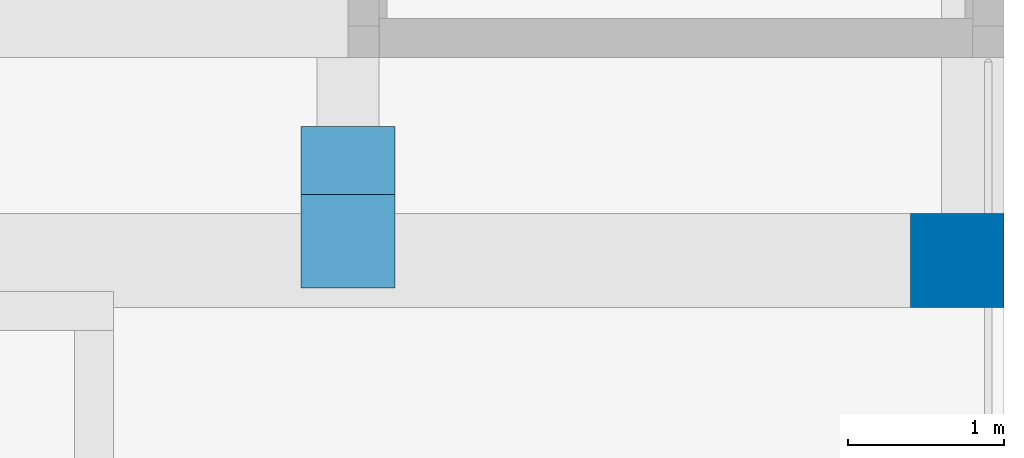
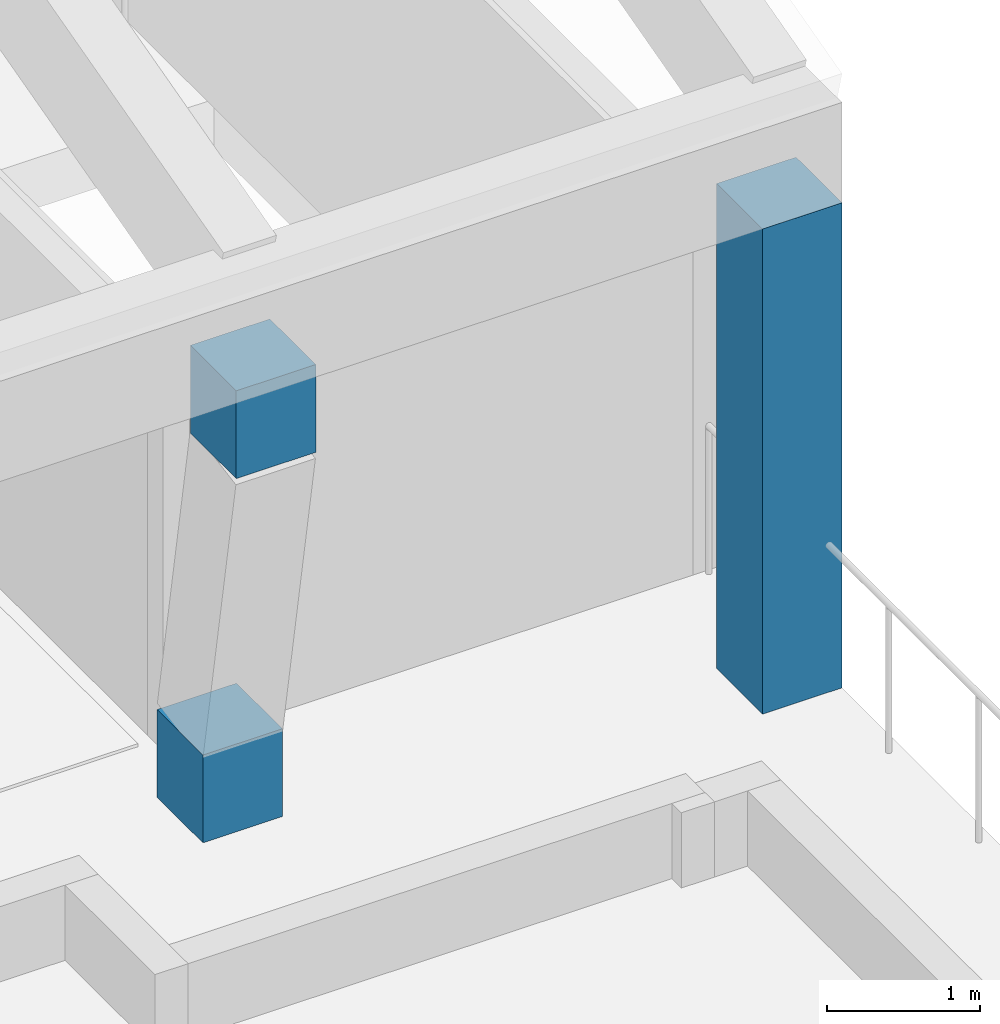
# One storey, part 2 of 67: 3 columns.
"""IFC4 building model written with IfcOpenShell, lengths in metres."""

from ifc_helpers import new_model, si_unit, direction, frame, origin, origin_2d, place, context, subcontext, project, spatial, rectangle, extrude, material, material_profile, profile_set, type_object, element, save


model = new_model("IFC4")

# Units and contexts
model_context = context("Model", 3, precision=1e-05, world=origin(), true_north=direction((0.0, 1.0)))
body_context = subcontext(model_context, "Body", "Model", "MODEL_VIEW")
ifc_project = project(units=[si_unit("LENGTHUNIT", "METRE"), si_unit("AREAUNIT", "SQUARE_METRE"), si_unit("VOLUMEUNIT", "CUBIC_METRE"), si_unit("PLANEANGLEUNIT", "RADIAN"), si_unit("MASSUNIT", "GRAM", prefix="KILO")], contexts=[model_context])

# Site, building, storey
site_placement = place(None, origin())
site = spatial("IfcSite", under=ifc_project, at=site_placement, CompositionType="ELEMENT")
building_placement = place(site_placement, origin())
building = spatial("IfcBuilding", under=site, at=building_placement, Name="Kiln Court Media Centre", CompositionType="ELEMENT")
storey_placement = place(building_placement, frame((0.0, 0.0, 19.800048828125)))
storey = spatial("IfcBuildingStorey", under=building, at=storey_placement, Name="L04", CompositionType="ELEMENT", Elevation=19.800048828125)

# Columns
ifc_material = material(Name="Concrete C40/50", Category="concrete")
ifc_material_profile = material_profile(ifc_material, rectangle(XDim=0.60009765625, YDim=0.60009765625, at=origin_2d()), Name="RC 600x600")
ifc_profile_set = profile_set([ifc_material_profile], Name="Concrete C40/50")
column_type = type_object("IfcColumnType", Name="Concrete C40/50 column 600x600", PredefinedType="COLUMN", material=ifc_profile_set)
column_1_placement = place(storey_placement, frame((163.800048828125, 15.85888671875, 0.0), z_axis=(0.0, 0.0, 1.0), x_axis=(1.0, 0.0, 0.0)))
element("IfcColumn", 1, at=column_1_placement, inside=storey, type_object=column_type, Name="L04-C-1047", PredefinedType="COLUMN", context=body_context, shape_type="SweptSolid", body=[
    extrude(rectangle(XDim=0.60009765625, YDim=0.60009765625, at=origin_2d()), origin(), (0.0, 0.0, 1.0), 0.699951171875),
])
column_2_placement = place(storey_placement, frame((163.800048828125, 15.42333984375, 3.169677734375), z_axis=(0.0, 0.0, 1.0), x_axis=(1.0, 0.0, 0.0)))
element("IfcColumn", 2, at=column_2_placement, inside=storey, type_object=column_type, Name="L04-C-1048", PredefinedType="COLUMN", context=body_context, shape_type="SweptSolid", body=[
    extrude(rectangle(XDim=0.60009765625, YDim=0.60009765625, at=origin_2d()), origin(), (0.0, 0.0, 1.0), 0.7001953125),
])
column_3_placement = place(storey_placement, frame((167.699951171875, 15.300048828125, 0.0), z_axis=(0.0, 0.0, 1.0), x_axis=(1.0, 0.0, 0.0)))
element("IfcColumn", 3, at=column_3_placement, inside=storey, type_object=column_type, Name="L04-C-1050", PredefinedType="COLUMN", context=body_context, shape_type="SweptSolid", body=[
    extrude(rectangle(XDim=0.60009765625, YDim=0.60009765625, at=origin_2d()), origin(), (0.0, 0.0, 1.0), 3.869873046875),
])

save(model, "model.ifc")
